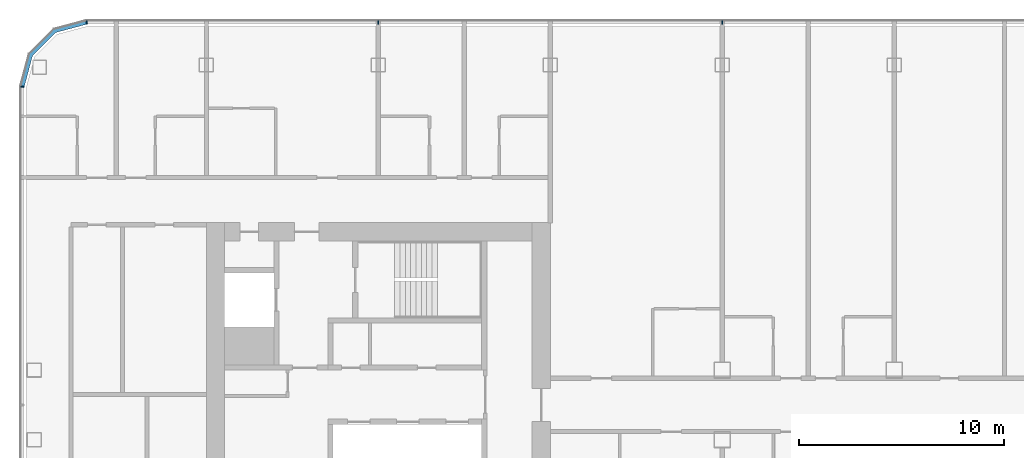
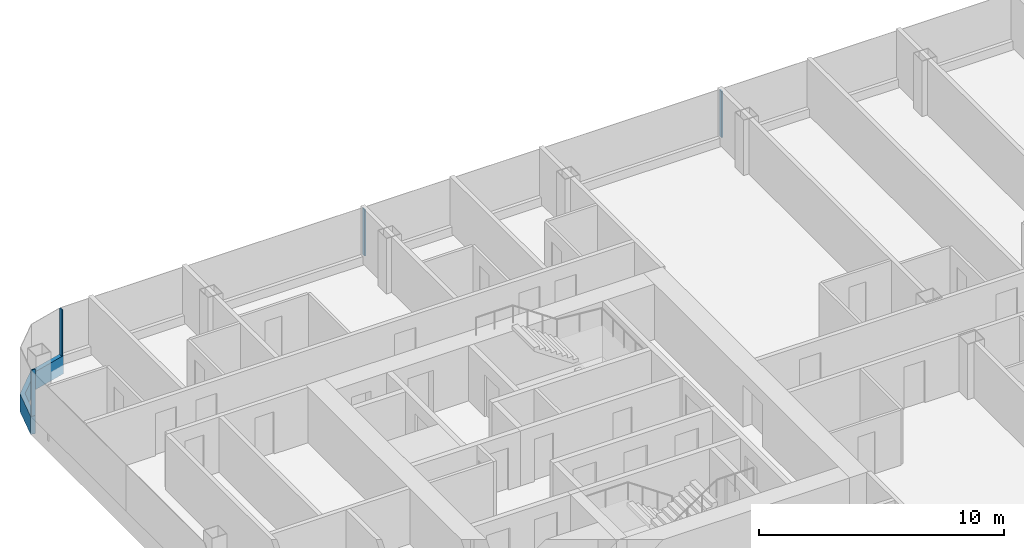
# One storey, part 6 of 26: 5 members, 3 elements without a shape of their own.
"""IFC4 building model written with IfcOpenShell, lengths in metres."""

from ifc_helpers import new_model, si_unit, direction, frame, origin, origin_2d, place, context, subcontext, project, spatial, polyline, rectangle, outline, extrude, material, layer, layer_set, material_profile, profile_set, type_object, element, aggregate, save


model = new_model("IFC4")

# Units and contexts
model_context = context("Model", 3, precision=1e-05, world=origin(), true_north=direction((0.0, 1.0)))
body_context = subcontext(model_context, "Body", "Model", "MODEL_VIEW")
ifc_project = project(units=[si_unit("LENGTHUNIT", "METRE"), si_unit("AREAUNIT", "SQUARE_METRE"), si_unit("VOLUMEUNIT", "CUBIC_METRE"), si_unit("PLANEANGLEUNIT", "RADIAN"), si_unit("MASSUNIT", "GRAM", prefix="KILO")], contexts=[model_context])

# Site, building, storey
site_placement = place(None, origin())
site = spatial("IfcSite", under=ifc_project, at=site_placement, CompositionType="ELEMENT")
building_placement = place(site_placement, origin())
building = spatial("IfcBuilding", under=site, at=building_placement, Name="Hakoniwa Tower and Hamabe Station Hall", CompositionType="ELEMENT")
storey_placement = place(building_placement, frame((0.0, 0.0, 169.39990234375)))
storey = spatial("IfcBuildingStorey", under=building, at=storey_placement, Name="L48", CompositionType="ELEMENT", Elevation=169.39990234375)

# Curtain wall, member
ifc_material_1 = material(Name="Dark low-e laminated glass", Category="glass")
ifc_layer = layer(ifc_material_1, 0.199951171875)
ifc_layer_set = layer_set([ifc_layer], Name="CW-1 UNITISED GUEST")
curtain_wall_type = type_object("IfcCurtainWallType", Name="CW-1 UNITISED GUEST", PredefinedType="NOTDEFINED", material=ifc_layer_set)
curtain_wall_1_placement = place(storey_placement, origin())
curtain_wall_1 = element("IfcCurtainWall", 1, at=curtain_wall_1_placement, inside=storey, type_object=curtain_wall_type, Name="CW-1 curtain wall", PredefinedType="NOTDEFINED")
ifc_material_2 = material(Name="Aluminium 6063-T5 black anodised", Category="aluminium")
ifc_material_profile_1 = material_profile(ifc_material_2, rectangle(XDim=0.199951171875, YDim=0.89990234375, at=origin_2d()), Name="CW SLAB-EDGE BAND 900X200")
ifc_profile_set_1 = profile_set([ifc_material_profile_1], Name="Aluminium 6063-T5 black anodised")
member_type_1 = type_object("IfcMemberType", Name="CW SLAB-EDGE BAND 900X200", PredefinedType="USERDEFINED", material=ifc_profile_set_1)
member_1_placement = place(storey_placement, frame((0.0, 0.0, -0.5498046875)))
member_1 = element("IfcMember", 2, at=member_1_placement, type_object=member_type_1, Name="CW-1 transom", ObjectType="TRANSOM", PredefinedType="USERDEFINED", context=body_context, shape_type="SweptSolid", body=[
    extrude(outline(polyline([(-39.439453125, 18.300048828125), (-41.05517578125, 17.866943359375), (-42.26708984375, 16.6552734375), (-42.699951171875, 15.03955078125), (-42.5068359375, 14.98779296875), (-42.087646484375, 16.5517578125), (-40.95166015625, 17.687744140625), (-39.3876953125, 18.10693359375), (-39.439453125, 18.300048828125)])), origin(), (0.0, 0.0, 1.0), 0.89990234375),
])
aggregate(curtain_wall_1, [member_1])

# Curtain wall, members
curtain_wall_2_placement = place(storey_placement, origin())
curtain_wall_2 = element("IfcCurtainWall", 3, at=curtain_wall_2_placement, inside=storey, type_object=curtain_wall_type, Name="CW-1 curtain wall", PredefinedType="NOTDEFINED")
ifc_material_3 = material(Name="Aluminium 6063-T5 black anodised", Category="aluminium")
ifc_material_profile_2 = material_profile(ifc_material_3, rectangle(XDim=0.06005859375, YDim=0.179931640625, at=origin_2d()), Name="CW-1 MULLION 60X180")
ifc_profile_set_2 = profile_set([ifc_material_profile_2], Name="Aluminium 6063-T5 black anodised")
member_type_2 = type_object("IfcMemberType", Name="CW-1 MULLION 60X180", PredefinedType="MULLION", material=ifc_profile_set_2)
member_2_placement = place(storey_placement, frame((-8.39990234375, 18.181884765625, 0.35009765625), z_axis=(0.0, 0.0, 1.0), x_axis=(-1.0, 0.0, 0.0)))
member_2 = element("IfcMember", 4, at=member_2_placement, type_object=member_type_2, Name="CW-1 mullion", PredefinedType="MULLION", context=body_context, shape_type="SweptSolid", body=[
    extrude(rectangle(XDim=0.06005859375, YDim=0.179931640625, at=origin_2d()), origin(), (0.0, 0.0, 1.0), 2.300048828125),
])
member_3_placement = place(storey_placement, frame((-25.199951171875, 18.181884765625, 0.35009765625), z_axis=(0.0, 0.0, 1.0), x_axis=(-1.0, 0.0, 0.0)))
member_3 = element("IfcMember", 5, at=member_3_placement, type_object=member_type_2, Name="CW-1 mullion", PredefinedType="MULLION", context=body_context, shape_type="SweptSolid", body=[
    extrude(rectangle(XDim=0.06005859375, YDim=0.179931640625, at=origin_2d()), origin(), (0.0, 0.0, 1.0), 2.300048828125),
])
member_4_placement = place(storey_placement, frame((-39.439453125, 18.181884765625, 0.35009765625), z_axis=(0.0, 0.0, 1.0), x_axis=(-1.0, 0.0, 0.0)))
member_4 = element("IfcMember", 6, at=member_4_placement, type_object=member_type_2, Name="CW-1 mullion", PredefinedType="MULLION", context=body_context, shape_type="SweptSolid", body=[
    extrude(rectangle(XDim=0.06005859375, YDim=0.179931640625, at=origin_2d()), origin(), (0.0, 0.0, 1.0), 2.300048828125),
])
aggregate(curtain_wall_2, [member_2, member_3, member_4])

# Curtain wall, member
curtain_wall_3_placement = place(storey_placement, origin())
curtain_wall_3 = element("IfcCurtainWall", 7, at=curtain_wall_3_placement, inside=storey, type_object=curtain_wall_type, Name="CW-1 curtain wall", PredefinedType="NOTDEFINED")
member_5_placement = place(storey_placement, frame((-42.58203125, 15.03955078125, 0.35009765625), z_axis=(0.0, 0.0, 1.0), x_axis=(0.0, -1.0, 0.0)))
member_5 = element("IfcMember", 8, at=member_5_placement, type_object=member_type_2, Name="CW-1 mullion", PredefinedType="MULLION", context=body_context, shape_type="SweptSolid", body=[
    extrude(rectangle(XDim=0.06005859375, YDim=0.179931640625, at=origin_2d()), origin(), (0.0, 0.0, 1.0), 2.300048828125),
])
aggregate(curtain_wall_3, [member_5])

save(model, "model.ifc")
